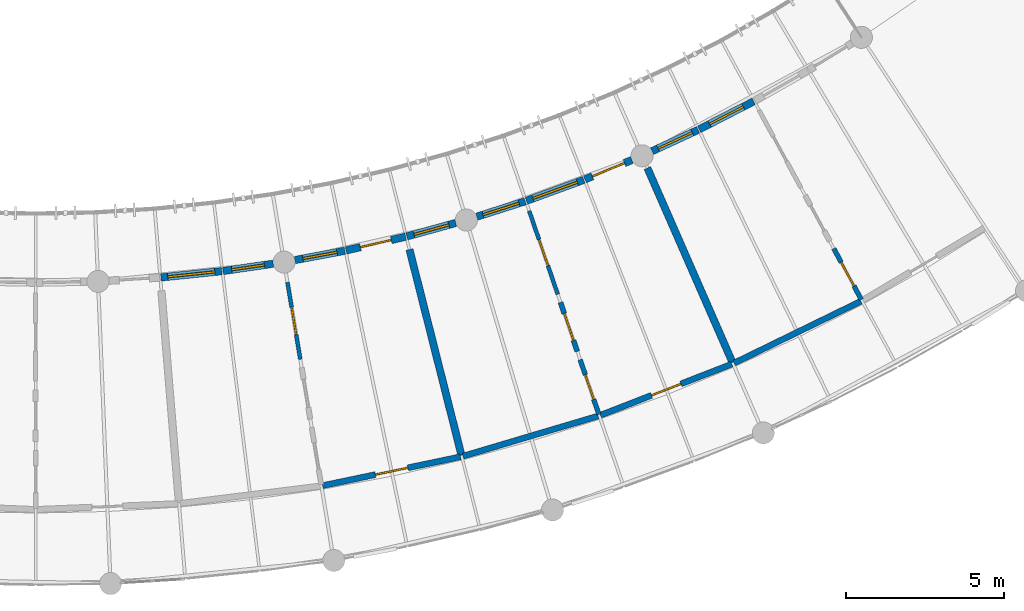
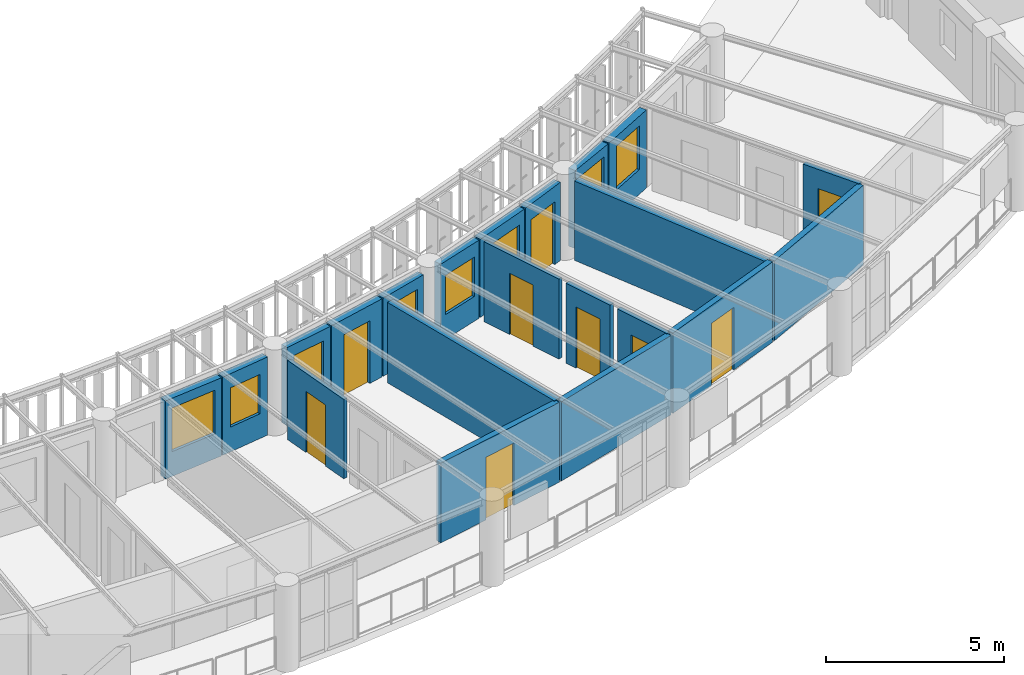
# One storey, part 94 of 137: 21 walls, 9 doors, 8 windows, 17 openings.
"""IFC4 building model written with IfcOpenShell, lengths in metres."""

from ifc_helpers import new_model, si_unit, direction, frame, frame_2d, origin, place, context, subcontext, project, spatial, rectangle, extrude, material, layer, layer_set, type_object, element, fill, save


model = new_model("IFC4")

# Units and contexts
model_context = context("Model", 3, precision=1e-05, world=origin(), true_north=direction((0.0, 1.0)))
body_context = subcontext(model_context, "Body", "Model", "MODEL_VIEW")
ifc_project = project(units=[si_unit("LENGTHUNIT", "METRE"), si_unit("AREAUNIT", "SQUARE_METRE"), si_unit("VOLUMEUNIT", "CUBIC_METRE"), si_unit("PLANEANGLEUNIT", "RADIAN"), si_unit("MASSUNIT", "GRAM", prefix="KILO"), si_unit("POWERUNIT", "WATT"), si_unit("THERMODYNAMICTEMPERATUREUNIT", "KELVIN")], contexts=[model_context])

# Site, building, storey
site_placement = place(None, origin())
site = spatial("IfcSite", under=ifc_project, at=site_placement, CompositionType="ELEMENT")
building_placement = place(site_placement, origin())
building = spatial("IfcBuilding", under=site, at=building_placement, Name="Ruvembo Vaulted Housing Court", CompositionType="ELEMENT")
storey_placement = place(building_placement, frame((0.0, 0.0, 4.5)))
storey = spatial("IfcBuildingStorey", under=building, at=storey_placement, Name="L01", CompositionType="ELEMENT", Elevation=4.5)

# Wall, opening, door
ifc_material_1 = material(Name="Concrete Blockwork 190", Category="masonry")
ifc_layer_1 = layer(ifc_material_1, 0.18994140625, Name="Concrete Blockwork 190")
ifc_layer_set_1 = layer_set([ifc_layer_1], Name="Concrete Blockwork 190")
wall_type_1 = type_object("IfcWallType", Name="WL-CORR-190", PredefinedType="SOLIDWALL", material=ifc_layer_set_1)
wall_1_placement = place(storey_placement, frame((78.106689453125, 7.55810546875, 0.0), z_axis=(0.0, 0.0, 1.0), x_axis=(0.978806148413, 0.204788973894, 0.0)))
wall_1 = element("IfcWall", 1, at=wall_1_placement, inside=storey, type_object=wall_type_1, Name="L01 Suite SC2-L01-U5 Entrance WL-INT-L01-00424", PredefinedType="SOLIDWALL", context=body_context, shape_type="SweptSolid", body=[
    extrude(rectangle(XDim=4.472900390625, YDim=0.18994140625, at=frame_2d((2.236328125, 0.0))), origin(), (0.0, 0.0, 1.0), 2.741943359375),
])
opening_1_placement = place(wall_1_placement, frame((1.71142578125, 0.0, 0.0)))
opening_1 = element("IfcOpeningElement", 2, at=opening_1_placement, cuts=wall_1, Name="Opening FD3", PredefinedType="OPENING", context=body_context, shape_type="SweptSolid", body=[
    extrude(rectangle(XDim=1.050048828125, YDim=2.14990234375, at=frame_2d((0.52490234375, 1.074951171875))), frame((0.0, 0.10498046875, 0.0), z_axis=(0.0, -1.0, 0.0), x_axis=(1.0, 0.0, 0.0)), (0.0, 0.0, 1.0), 0.2099609375),
])
ifc_material_2 = material(Name="FSC Hardwood and Engineered Timber", Category="wood")
door_type_1 = type_object("IfcDoorType", Name="DR-FLAT-1050x2150", OperationType="NOTDEFINED", PredefinedType="DOOR", material=ifc_material_2)
door_1_placement = place(opening_1_placement, origin())
door_1 = element("IfcDoor", 3, at=door_1_placement, inside=storey, type_object=door_type_1, Name="L01 Suite SC2-L01-U5 Entrance Door DR-INT-L01-00224", OperationType="SINGLE_SWING_RIGHT", OverallHeight=2.14990234375, OverallWidth=1.050048828125, PredefinedType="DOOR", context=body_context, shape_type="SweptSolid", body=[
    extrude(rectangle(XDim=1.050048828125, YDim=2.14990234375, at=frame_2d((0.52490234375, 1.074951171875))), frame((0.0, 0.02490234375, 0.0), z_axis=(0.0, -1.0, 0.0), x_axis=(1.0, 0.0, 0.0)), (0.0, 0.0, 1.0), 0.050048828125),
])
fill(opening_1, door_1)

# Wall
wall_2_placement = place(storey_placement, frame((82.562255859375, 8.493896484375, 0.0), z_axis=(0.0, 0.0, 1.0), x_axis=(0.958602413557, 0.28474798107, 0.0)))
element("IfcWall", 4, at=wall_2_placement, inside=storey, type_object=wall_type_1, Name="L01 Suite SC2-L01-U6 Gallery Wall WL-INT-L01-00429", PredefinedType="SOLIDWALL", context=body_context, shape_type="SweptSolid", body=[
    extrude(rectangle(XDim=4.472900390625, YDim=0.18994140625, at=frame_2d((2.236328125, 0.0))), origin(), (0.0, 0.0, 1.0), 2.721923828125),
])

# Wall, opening, door
wall_3_placement = place(storey_placement, frame((86.92578125, 9.79345703125, 0.0), z_axis=(0.0, 0.0, 1.0), x_axis=(0.931847867525, 0.362849213571, 0.0)))
wall_3 = element("IfcWall", 5, at=wall_3_placement, inside=storey, type_object=wall_type_1, Name="L01 Suite SC2-L01-U6 Entrance WL-INT-L01-00430", PredefinedType="SOLIDWALL", context=body_context, shape_type="SweptSolid", body=[
    extrude(rectangle(XDim=4.47314453125, YDim=0.18994140625, at=frame_2d((2.236572265625, 0.0))), origin(), (0.0, 0.0, 1.0), 2.761962890625),
])
opening_2_placement = place(wall_3_placement, frame((1.736572265625, 0.0, 0.0)))
opening_2 = element("IfcOpeningElement", 6, at=opening_2_placement, cuts=wall_3, Name="Opening FD1", PredefinedType="OPENING", context=body_context, shape_type="SweptSolid", body=[
    extrude(rectangle(XDim=1.0, YDim=2.14990234375, at=frame_2d((0.5, 1.074951171875))), frame((0.0, 0.10498046875, 0.0), z_axis=(0.0, -1.0, 0.0), x_axis=(1.0, 0.0, 0.0)), (0.0, 0.0, 1.0), 0.2099609375),
])
door_type_2 = type_object("IfcDoorType", Name="DR-FLAT-1000x2150", OperationType="NOTDEFINED", PredefinedType="DOOR", material=ifc_material_2)
door_2_placement = place(opening_2_placement, origin())
door_2 = element("IfcDoor", 7, at=door_2_placement, inside=storey, type_object=door_type_2, Name="L01 Suite SC2-L01-U6 Entrance Door DR-INT-L01-00228", OperationType="SINGLE_SWING_RIGHT", OverallHeight=2.14990234375, OverallWidth=1.0, PredefinedType="DOOR", context=body_context, shape_type="SweptSolid", body=[
    extrude(rectangle(XDim=1.0, YDim=2.14990234375, at=frame_2d((0.5, 1.074951171875))), frame((0.0, 0.02490234375, 0.0), z_axis=(0.0, -1.0, 0.0), x_axis=(1.0, 0.0, 0.0)), (0.0, 0.0, 1.0), 0.050048828125),
])
fill(opening_2, door_2)

# Walls
wall_4_placement = place(storey_placement, frame((91.16748046875, 11.448486328125, 0.0), z_axis=(0.0, 0.0, 1.0), x_axis=(0.898794149603, 0.438370934985, 0.0)))
element("IfcWall", 8, at=wall_4_placement, inside=storey, type_object=wall_type_1, Name="L01 Suite SC2-L01-U7 Gallery Wall WL-INT-L01-00435", PredefinedType="SOLIDWALL", context=body_context, shape_type="SweptSolid", body=[
    extrude(rectangle(XDim=4.47265625, YDim=0.18994140625, at=frame_2d((2.236328125, 0.0))), origin(), (0.0, 0.0, 1.0), 2.741943359375),
])
ifc_material_3 = material(Name="Acoustic Masonry Demising 230", Category="masonry")
ifc_layer_2 = layer(ifc_material_3, 0.22998046875, Name="Acoustic Masonry Demising 230")
ifc_layer_set_2 = layer_set([ifc_layer_2], Name="Acoustic Masonry Demising 230")
wall_type_2 = type_object("IfcWallType", Name="WL-DEM-230", PredefinedType="SOLIDWALL", material=ifc_layer_set_2)
wall_5_placement = place(storey_placement, frame((80.864013671875, 15.0517578125, 0.0), z_axis=(0.0, 0.0, 1.0), x_axis=(0.244982481903, -0.969527505314, 0.0)))
element("IfcWall", 9, at=wall_5_placement, inside=storey, type_object=wall_type_2, Name="L01 Suite SC2-L01-U5 Demising WL-INT-L01-00428", PredefinedType="SOLIDWALL", context=body_context, shape_type="SweptSolid", body=[
    extrude(rectangle(XDim=6.73583984375, YDim=0.22998046875, at=frame_2d((3.367919921875, 0.0))), origin(), (0.0, 0.0, 1.0), 2.761962890625),
])
wall_6_placement = place(storey_placement, frame((88.414794921875, 17.638427734375, 0.0), z_axis=(0.0, 0.0, 1.0), x_axis=(0.400932910895, -0.916107417807, 0.0)))
element("IfcWall", 10, at=wall_6_placement, inside=storey, type_object=wall_type_2, Name="L01 Suite SC2-L01-U6 Demising WL-INT-L01-00434", PredefinedType="SOLIDWALL", context=body_context, shape_type="SweptSolid", body=[
    extrude(rectangle(XDim=6.736083984375, YDim=0.22998046875, at=frame_2d((3.3681640625, 0.0))), origin(), (0.0, 0.0, 1.0), 2.721923828125),
])

# Wall, opening, window
ifc_material_4 = material(Name="Rendered Masonry 235", Category="masonry")
ifc_layer_3 = layer(ifc_material_4, 0.235107421875, Name="Rendered Masonry 235")
ifc_layer_set_3 = layer_set([ifc_layer_3], Name="Rendered Masonry 235")
wall_type_3 = type_object("IfcWallType", Name="WL-EXT-235", PredefinedType="STANDARD", material=ifc_layer_set_3)
wall_7_placement = place(storey_placement, frame((72.9755859375, 14.165283203125, 0.0), z_axis=(0.0, 0.0, 1.0), x_axis=(0.994688684624, 0.10292920228, 0.0)))
wall_7 = element("IfcWall", 11, at=wall_7_placement, inside=storey, type_object=wall_type_3, Name="Scoop SC2 L01 Concave Balcony Wall 16", PredefinedType="STANDARD", context=body_context, shape_type="SweptSolid", body=[
    extrude(rectangle(XDim=1.940185546875, YDim=0.235107421875, at=frame_2d((0.97021484375, 0.0))), origin(), (0.0, 0.0, 1.0), 2.68408203125),
])
opening_3_placement = place(wall_7_placement, frame((0.219970703125, 0.0, 0.85009765625)))
opening_3 = element("IfcOpeningElement", 12, at=opening_3_placement, cuts=wall_7, Name="Opening W19", PredefinedType="OPENING", context=body_context, shape_type="SweptSolid", body=[
    extrude(rectangle(XDim=1.5, YDim=1.5, at=frame_2d((0.75, 0.75))), frame((0.0, 0.12744140625, 0.0), z_axis=(0.0, -1.0, 0.0), x_axis=(1.0, 0.0, 0.0)), (0.0, 0.0, 1.0), 0.255126953125),
])
ifc_material_5 = material(Name="Double Solar-Control Glazing in Aluminium Frame", Category="aluminium")
window_type_1 = type_object("IfcWindowType", Name="WIN-1500x1500", PartitioningType="SINGLE_PANEL", PredefinedType="WINDOW", material=ifc_material_5)
window_1_placement = place(opening_3_placement, origin())
window_1 = element("IfcWindow", 13, at=window_1_placement, inside=storey, type_object=window_type_1, Name="Scoop SC2 L01 Concave Window 16", OverallHeight=1.5, OverallWidth=1.5, PartitioningType="SINGLE_PANEL", PredefinedType="WINDOW", context=body_context, shape_type="SweptSolid", body=[
    extrude(rectangle(XDim=1.5, YDim=1.5, at=frame_2d((0.75, 0.75))), frame((0.0, 0.030029296875, 0.0), z_axis=(0.0, -1.0, 0.0), x_axis=(1.0, 0.0, 0.0)), (0.0, 0.0, 1.0), 0.06005859375),
])
fill(opening_3, window_1)

wall_8_placement = place(storey_placement, frame((74.945068359375, 14.3701171875, 0.0), z_axis=(0.0, 0.0, 1.0), x_axis=(0.98961312767, 0.143756243492, 0.0)))
wall_8 = element("IfcWall", 14, at=wall_8_placement, inside=storey, type_object=wall_type_3, Name="Scoop SC2 L01 Concave Balcony Wall 17", PredefinedType="STANDARD", context=body_context, shape_type="SweptSolid", body=[
    extrude(rectangle(XDim=1.60986328125, YDim=0.235107421875, at=frame_2d((0.804931640625, 0.0))), origin(), (0.0, 0.0, 1.0), 2.68408203125),
])
opening_4_placement = place(wall_8_placement, frame((0.280029296875, 0.0, 0.85009765625)))
opening_4 = element("IfcOpeningElement", 15, at=opening_4_placement, cuts=wall_8, Name="Opening W09", PredefinedType="OPENING", context=body_context, shape_type="SweptSolid", body=[
    extrude(rectangle(XDim=1.050048828125, YDim=1.35009765625, at=frame_2d((0.52490234375, 0.675048828125))), frame((0.0, 0.12744140625, 0.0), z_axis=(0.0, -1.0, 0.0), x_axis=(1.0, 0.0, 0.0)), (0.0, 0.0, 1.0), 0.255126953125),
])
window_type_2 = type_object("IfcWindowType", Name="WIN-1050x1350", PartitioningType="SINGLE_PANEL", PredefinedType="WINDOW", material=ifc_material_5)
window_2_placement = place(opening_4_placement, origin())
window_2 = element("IfcWindow", 16, at=window_2_placement, inside=storey, type_object=window_type_2, Name="Scoop SC2 L01 Concave Window 17", OverallHeight=1.35009765625, OverallWidth=1.050048828125, PartitioningType="SINGLE_PANEL", PredefinedType="WINDOW", context=body_context, shape_type="SweptSolid", body=[
    extrude(rectangle(XDim=1.050048828125, YDim=1.35009765625, at=frame_2d((0.52490234375, 0.675048828125))), frame((0.0, 0.030029296875, 0.0), z_axis=(0.0, -1.0, 0.0), x_axis=(1.0, 0.0, 0.0)), (0.0, 0.0, 1.0), 0.06005859375),
])
fill(opening_4, window_2)

wall_9_placement = place(storey_placement, frame((77.228759765625, 14.716552734375, 0.0), z_axis=(0.0, 0.0, 1.0), x_axis=(0.982794848755, 0.184700528589, 0.0)))
wall_9 = element("IfcWall", 17, at=wall_9_placement, inside=storey, type_object=wall_type_3, Name="Scoop SC2 L01 Concave Balcony Wall 18", PredefinedType="STANDARD", context=body_context, shape_type="SweptSolid", body=[
    extrude(rectangle(XDim=1.60986328125, YDim=0.235107421875, at=frame_2d((0.804931640625, 0.0))), origin(), (0.0, 0.0, 1.0), 2.68408203125),
])
opening_5_placement = place(wall_9_placement, frame((0.2548828125, 0.0, 0.85009765625)))
opening_5 = element("IfcOpeningElement", 18, at=opening_5_placement, cuts=wall_9, Name="Opening W10", PredefinedType="OPENING", context=body_context, shape_type="SweptSolid", body=[
    extrude(rectangle(XDim=1.10009765625, YDim=1.449951171875, at=frame_2d((0.550048828125, 0.72509765625))), frame((0.0, 0.12744140625, 0.0), z_axis=(0.0, -1.0, 0.0), x_axis=(1.0, 0.0, 0.0)), (0.0, 0.0, 1.0), 0.255126953125),
])
window_type_3 = type_object("IfcWindowType", Name="WIN-1100x1450", PartitioningType="SINGLE_PANEL", PredefinedType="WINDOW", material=ifc_material_5)
window_3_placement = place(opening_5_placement, origin())
window_3 = element("IfcWindow", 19, at=window_3_placement, inside=storey, type_object=window_type_3, Name="Scoop SC2 L01 Concave Window 18", OverallHeight=1.449951171875, OverallWidth=1.10009765625, PartitioningType="SINGLE_PANEL", PredefinedType="WINDOW", context=body_context, shape_type="SweptSolid", body=[
    extrude(rectangle(XDim=1.10009765625, YDim=1.449951171875, at=frame_2d((0.550048828125, 0.72509765625))), frame((0.0, 0.030029296875, 0.0), z_axis=(0.0, -1.0, 0.0), x_axis=(1.0, 0.0, 0.0)), (0.0, 0.0, 1.0), 0.06005859375),
])
fill(opening_5, window_3)

# Wall, opening, door
wall_10_placement = place(storey_placement, frame((78.85009765625, 15.02197265625, 0.0), z_axis=(0.0, 0.0, 1.0), x_axis=(0.974359373104, 0.224997360081, 0.0)))
wall_10 = element("IfcWall", 20, at=wall_10_placement, inside=storey, type_object=wall_type_3, Name="Scoop SC2 L01 Concave Balcony Wall 19", PredefinedType="STANDARD", context=body_context, shape_type="SweptSolid", body=[
    extrude(rectangle(XDim=1.940185546875, YDim=0.235107421875, at=frame_2d((0.97021484375, 0.0))), origin(), (0.0, 0.0, 1.0), 2.68408203125),
])
opening_6_placement = place(wall_10_placement, frame((0.469970703125, 0.0, 0.0)))
opening_6 = element("IfcOpeningElement", 21, at=opening_6_placement, cuts=wall_10, Name="Opening BD1", PredefinedType="OPENING", context=body_context, shape_type="SweptSolid", body=[
    extrude(rectangle(XDim=1.0, YDim=2.14990234375, at=frame_2d((0.5, 1.074951171875))), frame((0.0, 0.12744140625, 0.0), z_axis=(0.0, -1.0, 0.0), x_axis=(1.0, 0.0, 0.0)), (0.0, 0.0, 1.0), 0.255126953125),
])
ifc_material_6 = material(Name="Thermally Broken Glazed Aluminium", Category="aluminium")
door_type_3 = type_object("IfcDoorType", Name="DR-BAL-1000x2150", OperationType="NOTDEFINED", PredefinedType="DOOR", material=ifc_material_6)
door_3_placement = place(opening_6_placement, origin())
door_3 = element("IfcDoor", 22, at=door_3_placement, inside=storey, type_object=door_type_3, Name="Scoop SC2 L01 Balcony Door 19", OperationType="SINGLE_SWING_RIGHT", OverallHeight=2.14990234375, OverallWidth=1.0, PredefinedType="DOOR", context=body_context, shape_type="SweptSolid", body=[
    extrude(rectangle(XDim=1.0, YDim=2.14990234375, at=frame_2d((0.5, 1.074951171875))), frame((0.0, 0.02490234375, 0.0), z_axis=(0.0, -1.0, 0.0), x_axis=(1.0, 0.0, 0.0)), (0.0, 0.0, 1.0), 0.050048828125),
])
fill(opening_6, door_3)

# Wall, opening, window
wall_11_placement = place(storey_placement, frame((80.779296875, 15.46826171875, 0.0), z_axis=(0.0, 0.0, 1.0), x_axis=(0.96427223836, 0.264913288318, 0.0)))
wall_11 = element("IfcWall", 23, at=wall_11_placement, inside=storey, type_object=wall_type_3, Name="Scoop SC2 L01 Concave Balcony Wall 20", PredefinedType="STANDARD", context=body_context, shape_type="SweptSolid", body=[
    extrude(rectangle(XDim=1.610107421875, YDim=0.235107421875, at=frame_2d((0.80517578125, 0.0))), origin(), (0.0, 0.0, 1.0), 2.68408203125),
])
opening_7_placement = place(wall_11_placement, frame((0.22998046875, 0.0, 0.85009765625)))
opening_7 = element("IfcOpeningElement", 24, at=opening_7_placement, cuts=wall_11, Name="Opening W11", PredefinedType="OPENING", context=body_context, shape_type="SweptSolid", body=[
    extrude(rectangle(XDim=1.14990234375, YDim=1.449951171875, at=frame_2d((0.574951171875, 0.72509765625))), frame((0.0, 0.12744140625, 0.0), z_axis=(0.0, -1.0, 0.0), x_axis=(1.0, 0.0, 0.0)), (0.0, 0.0, 1.0), 0.255126953125),
])
window_type_4 = type_object("IfcWindowType", Name="WIN-1150x1450", PartitioningType="SINGLE_PANEL", PredefinedType="WINDOW", material=ifc_material_5)
window_4_placement = place(opening_7_placement, origin())
window_4 = element("IfcWindow", 25, at=window_4_placement, inside=storey, type_object=window_type_4, Name="Scoop SC2 L01 Concave Window 20", OverallHeight=1.449951171875, OverallWidth=1.14990234375, PartitioningType="SINGLE_PANEL", PredefinedType="WINDOW", context=body_context, shape_type="SweptSolid", body=[
    extrude(rectangle(XDim=1.14990234375, YDim=1.449951171875, at=frame_2d((0.574951171875, 0.72509765625))), frame((0.0, 0.030029296875, 0.0), z_axis=(0.0, -1.0, 0.0), x_axis=(1.0, 0.0, 0.0)), (0.0, 0.0, 1.0), 0.06005859375),
])
fill(opening_7, window_4)

wall_12_placement = place(storey_placement, frame((83.002685546875, 16.093994140625, 0.0), z_axis=(0.0, 0.0, 1.0), x_axis=(0.952508629145, 0.304511594861, 0.0)))
wall_12 = element("IfcWall", 26, at=wall_12_placement, inside=storey, type_object=wall_type_3, Name="Scoop SC2 L01 Concave Balcony Wall 21", PredefinedType="STANDARD", context=body_context, shape_type="SweptSolid", body=[
    extrude(rectangle(XDim=1.60986328125, YDim=0.235107421875, at=frame_2d((0.804931640625, 0.0))), origin(), (0.0, 0.0, 1.0), 2.68408203125),
])
opening_8_placement = place(wall_12_placement, frame((0.205078125, 0.0, 0.85009765625)))
opening_8 = element("IfcOpeningElement", 27, at=opening_8_placement, cuts=wall_12, Name="Opening W12", PredefinedType="OPENING", context=body_context, shape_type="SweptSolid", body=[
    extrude(rectangle(XDim=1.199951171875, YDim=1.35009765625, at=frame_2d((0.60009765625, 0.675048828125))), frame((0.0, 0.12744140625, 0.0), z_axis=(0.0, -1.0, 0.0), x_axis=(1.0, 0.0, 0.0)), (0.0, 0.0, 1.0), 0.255126953125),
])
window_type_5 = type_object("IfcWindowType", Name="WIN-1200x1350", PartitioningType="SINGLE_PANEL", PredefinedType="WINDOW", material=ifc_material_5)
window_5_placement = place(opening_8_placement, origin())
window_5 = element("IfcWindow", 28, at=window_5_placement, inside=storey, type_object=window_type_5, Name="Scoop SC2 L01 Concave Window 21", OverallHeight=1.35009765625, OverallWidth=1.199951171875, PartitioningType="SINGLE_PANEL", PredefinedType="WINDOW", context=body_context, shape_type="SweptSolid", body=[
    extrude(rectangle(XDim=1.199951171875, YDim=1.35009765625, at=frame_2d((0.60009765625, 0.675048828125))), frame((0.0, 0.030029296875, 0.0), z_axis=(0.0, -1.0, 0.0), x_axis=(1.0, 0.0, 0.0)), (0.0, 0.0, 1.0), 0.06005859375),
])
fill(opening_8, window_5)

wall_13_placement = place(storey_placement, frame((84.573974609375, 16.597412109375, 0.0), z_axis=(0.0, 0.0, 1.0), x_axis=(0.939178301307, 0.343429932235, 0.0)))
wall_13 = element("IfcWall", 29, at=wall_13_placement, inside=storey, type_object=wall_type_3, Name="Scoop SC2 L01 Concave Balcony Wall 22", PredefinedType="STANDARD", context=body_context, shape_type="SweptSolid", body=[
    extrude(rectangle(XDim=1.93994140625, YDim=0.235107421875, at=frame_2d((0.969970703125, 0.0))), origin(), (0.0, 0.0, 1.0), 2.68408203125),
])
opening_9_placement = place(wall_13_placement, frame((0.219970703125, 0.0, 0.85009765625)))
opening_9 = element("IfcOpeningElement", 30, at=opening_9_placement, cuts=wall_13, Name="Opening W18", PredefinedType="OPENING", context=body_context, shape_type="SweptSolid", body=[
    extrude(rectangle(XDim=1.5, YDim=1.39990234375, at=frame_2d((0.75, 0.699951171875))), frame((0.0, 0.12744140625, 0.0), z_axis=(0.0, -1.0, 0.0), x_axis=(1.0, 0.0, 0.0)), (0.0, 0.0, 1.0), 0.255126953125),
])
window_type_6 = type_object("IfcWindowType", Name="WIN-1500x1400", PartitioningType="SINGLE_PANEL", PredefinedType="WINDOW", material=ifc_material_5)
window_6_placement = place(opening_9_placement, origin())
window_6 = element("IfcWindow", 31, at=window_6_placement, inside=storey, type_object=window_type_6, Name="Scoop SC2 L01 Concave Window 22", OverallHeight=1.39990234375, OverallWidth=1.5, PartitioningType="SINGLE_PANEL", PredefinedType="WINDOW", context=body_context, shape_type="SweptSolid", body=[
    extrude(rectangle(XDim=1.5, YDim=1.39990234375, at=frame_2d((0.75, 0.699951171875))), frame((0.0, 0.030029296875, 0.0), z_axis=(0.0, -1.0, 0.0), x_axis=(1.0, 0.0, 0.0)), (0.0, 0.0, 1.0), 0.06005859375),
])
fill(opening_9, window_6)

# Wall, opening, door
wall_14_placement = place(storey_placement, frame((86.433349609375, 17.278076171875, 0.0), z_axis=(0.0, 0.0, 1.0), x_axis=(0.924159027547, 0.382007973481, 0.0)))
wall_14 = element("IfcWall", 32, at=wall_14_placement, inside=storey, type_object=wall_type_3, Name="Scoop SC2 L01 Concave Balcony Wall 23", PredefinedType="STANDARD", context=body_context, shape_type="SweptSolid", body=[
    extrude(rectangle(XDim=1.60986328125, YDim=0.235107421875, at=frame_2d((0.804931640625, 0.0))), origin(), (0.0, 0.0, 1.0), 2.68408203125),
])
opening_10_placement = place(wall_14_placement, frame((0.2548828125, 0.0, 0.0)))
opening_10 = element("IfcOpeningElement", 33, at=opening_10_placement, cuts=wall_14, Name="Opening BD3", PredefinedType="OPENING", context=body_context, shape_type="SweptSolid", body=[
    extrude(rectangle(XDim=1.10009765625, YDim=2.14990234375, at=frame_2d((0.550048828125, 1.074951171875))), frame((0.0, 0.12744140625, 0.0), z_axis=(0.0, -1.0, 0.0), x_axis=(1.0, 0.0, 0.0)), (0.0, 0.0, 1.0), 0.255126953125),
])
door_type_4 = type_object("IfcDoorType", Name="DR-BAL-1100x2150", OperationType="NOTDEFINED", PredefinedType="DOOR", material=ifc_material_6)
door_4_placement = place(opening_10_placement, origin())
door_4 = element("IfcDoor", 34, at=door_4_placement, inside=storey, type_object=door_type_4, Name="Scoop SC2 L01 Balcony Door 23", OperationType="SINGLE_SWING_LEFT", OverallHeight=2.14990234375, OverallWidth=1.10009765625, PredefinedType="DOOR", context=body_context, shape_type="SweptSolid", body=[
    extrude(rectangle(XDim=1.10009765625, YDim=2.14990234375, at=frame_2d((0.550048828125, 1.074951171875))), frame((0.0, 0.02490234375, 0.0), z_axis=(0.0, -1.0, 0.0), x_axis=(1.0, 0.0, 0.0)), (0.0, 0.0, 1.0), 0.050048828125),
])
fill(opening_10, door_4)

# Wall, opening, window
wall_15_placement = place(storey_placement, frame((88.5625, 18.173583984375, 0.0), z_axis=(0.0, 0.0, 1.0), x_axis=(0.907572868664, 0.419894615427, 0.0)))
wall_15 = element("IfcWall", 35, at=wall_15_placement, inside=storey, type_object=wall_type_3, Name="Scoop SC2 L01 Concave Balcony Wall 24", PredefinedType="STANDARD", context=body_context, shape_type="SweptSolid", body=[
    extrude(rectangle(XDim=1.610107421875, YDim=0.235107421875, at=frame_2d((0.80517578125, 0.0))), origin(), (0.0, 0.0, 1.0), 2.68408203125),
])
opening_11_placement = place(wall_15_placement, frame((0.205078125, 0.0, 0.85009765625)))
opening_11 = element("IfcOpeningElement", 36, at=opening_11_placement, cuts=wall_15, Name="Opening W14", PredefinedType="OPENING", context=body_context, shape_type="SweptSolid", body=[
    extrude(rectangle(XDim=1.199951171875, YDim=1.5, at=frame_2d((0.60009765625, 0.75))), frame((0.0, 0.12744140625, 0.0), z_axis=(0.0, -1.0, 0.0), x_axis=(1.0, 0.0, 0.0)), (0.0, 0.0, 1.0), 0.255126953125),
])
window_type_7 = type_object("IfcWindowType", Name="WIN-1200x1500", PartitioningType="SINGLE_PANEL", PredefinedType="WINDOW", material=ifc_material_5)
window_7_placement = place(opening_11_placement, origin())
window_7 = element("IfcWindow", 37, at=window_7_placement, inside=storey, type_object=window_type_7, Name="Scoop SC2 L01 Concave Window 24", OverallHeight=1.5, OverallWidth=1.199951171875, PartitioningType="SINGLE_PANEL", PredefinedType="WINDOW", context=body_context, shape_type="SweptSolid", body=[
    extrude(rectangle(XDim=1.199951171875, YDim=1.5, at=frame_2d((0.60009765625, 0.75))), frame((0.0, 0.030029296875, 0.0), z_axis=(0.0, -1.0, 0.0), x_axis=(1.0, 0.0, 0.0)), (0.0, 0.0, 1.0), 0.06005859375),
])
fill(opening_11, window_7)

wall_16_placement = place(storey_placement, frame((90.0595703125, 18.866943359375, 0.0), z_axis=(0.0, 0.0, 1.0), x_axis=(0.889517261343, 0.456901566832, 0.0)))
wall_16 = element("IfcWall", 38, at=wall_16_placement, inside=storey, type_object=wall_type_3, Name="Scoop SC2 L01 Concave Balcony Wall 25", PredefinedType="STANDARD", context=body_context, shape_type="SweptSolid", body=[
    extrude(rectangle(XDim=1.940185546875, YDim=0.235107421875, at=frame_2d((0.97021484375, 0.0))), origin(), (0.0, 0.0, 1.0), 2.68408203125),
])
opening_12_placement = place(wall_16_placement, frame((0.3701171875, 0.0, 0.85009765625)))
opening_12 = element("IfcOpeningElement", 39, at=opening_12_placement, cuts=wall_16, Name="Opening W14", PredefinedType="OPENING", context=body_context, shape_type="SweptSolid", body=[
    extrude(rectangle(XDim=1.199951171875, YDim=1.5, at=frame_2d((0.60009765625, 0.75))), frame((0.0, 0.12744140625, 0.0), z_axis=(0.0, -1.0, 0.0), x_axis=(1.0, 0.0, 0.0)), (0.0, 0.0, 1.0), 0.255126953125),
])
window_8_placement = place(opening_12_placement, origin())
window_8 = element("IfcWindow", 40, at=window_8_placement, inside=storey, type_object=window_type_7, Name="Scoop SC2 L01 Concave Window 25", OverallHeight=1.5, OverallWidth=1.199951171875, PartitioningType="SINGLE_PANEL", PredefinedType="WINDOW", context=body_context, shape_type="SweptSolid", body=[
    extrude(rectangle(XDim=1.199951171875, YDim=1.5, at=frame_2d((0.60009765625, 0.75))), frame((0.0, 0.030029296875, 0.0), z_axis=(0.0, -1.0, 0.0), x_axis=(1.0, 0.0, 0.0)), (0.0, 0.0, 1.0), 0.06005859375),
])
fill(opening_12, window_8)

# Wall, opening, door
ifc_material_7 = material(Name="Plasterboard Stud Partition 125", Category="gypsum")
ifc_layer_4 = layer(ifc_material_7, 0.125, Name="Plasterboard Stud Partition 125")
ifc_layer_set_4 = layer_set([ifc_layer_4], Name="Plasterboard Stud Partition 125")
wall_type_4 = type_object("IfcWallType", Name="WL-PART-125", PredefinedType="PARTITIONING", material=ifc_layer_set_4)
wall_17_placement = place(storey_placement, frame((76.9912109375, 14.0126953125, 0.0), z_axis=(0.0, 0.0, 1.0), x_axis=(0.16420741421, -0.986425833562, 0.0)))
wall_17 = element("IfcWall", 41, at=wall_17_placement, inside=storey, type_object=wall_type_4, Name="L01 Suite SC2-L01-U5 Bedroom WL-INT-L01-00425", PredefinedType="PARTITIONING", context=body_context, shape_type="SweptSolid", body=[
    extrude(rectangle(XDim=2.47998046875, YDim=0.125, at=frame_2d((1.239990234375, 0.0))), origin(), (0.0, 0.0, 1.0), 2.721923828125),
])
opening_13_placement = place(wall_17_placement, frame((0.800048828125, 0.0, 0.0)))
opening_13 = element("IfcOpeningElement", 42, at=opening_13_placement, cuts=wall_17, Name="Opening ID3", PredefinedType="OPENING", context=body_context, shape_type="SweptSolid", body=[
    extrude(rectangle(XDim=0.8798828125, YDim=2.10009765625, at=frame_2d((0.43994140625, 1.050048828125))), frame((0.0, 0.072509765625, 0.0), z_axis=(0.0, -1.0, 0.0), x_axis=(1.0, 0.0, 0.0)), (0.0, 0.0, 1.0), 0.14501953125),
])
door_type_5 = type_object("IfcDoorType", Name="DR-ROOM-0880x2100", OperationType="NOTDEFINED", PredefinedType="DOOR", material=ifc_material_2)
door_5_placement = place(opening_13_placement, origin())
door_5 = element("IfcDoor", 43, at=door_5_placement, inside=storey, type_object=door_type_5, Name="L01 Suite SC2-L01-U5 Bedroom Door DR-INT-L01-00225", OperationType="SINGLE_SWING_LEFT", OverallHeight=2.10009765625, OverallWidth=0.8798828125, PredefinedType="DOOR", context=body_context, shape_type="SweptSolid", body=[
    extrude(rectangle(XDim=0.8798828125, YDim=2.10009765625, at=frame_2d((0.43994140625, 1.050048828125))), frame((0.0, 0.02490234375, 0.0), z_axis=(0.0, -1.0, 0.0), x_axis=(1.0, 0.0, 0.0)), (0.0, 0.0, 1.0), 0.050048828125),
])
fill(opening_13, door_5)

wall_18_placement = place(storey_placement, frame((84.66162109375, 16.280029296875, 0.0), z_axis=(0.0, 0.0, 1.0), x_axis=(0.32401221778, -0.94605289637, 0.0)))
wall_18 = element("IfcWall", 44, at=wall_18_placement, inside=storey, type_object=wall_type_4, Name="L01 Suite SC2-L01-U6 Bedroom WL-INT-L01-00431", PredefinedType="PARTITIONING", context=body_context, shape_type="SweptSolid", body=[
    extrude(rectangle(XDim=2.800048828125, YDim=0.125, at=frame_2d((1.39990234375, 0.0))), origin(), (0.0, 0.0, 1.0), 2.741943359375),
])
opening_14_placement = place(wall_18_placement, frame((0.960205078125, 0.0, 0.0)))
opening_14 = element("IfcOpeningElement", 45, at=opening_14_placement, cuts=wall_18, Name="Opening ID3", PredefinedType="OPENING", context=body_context, shape_type="SweptSolid", body=[
    extrude(rectangle(XDim=0.8798828125, YDim=2.10009765625, at=frame_2d((0.43994140625, 1.050048828125))), frame((0.0, 0.072509765625, 0.0), z_axis=(0.0, -1.0, 0.0), x_axis=(1.0, 0.0, 0.0)), (0.0, 0.0, 1.0), 0.14501953125),
])
door_6_placement = place(opening_14_placement, origin())
door_6 = element("IfcDoor", 46, at=door_6_placement, inside=storey, type_object=door_type_5, Name="L01 Suite SC2-L01-U6 Bedroom Door DR-INT-L01-00229", OperationType="SINGLE_SWING_LEFT", OverallHeight=2.10009765625, OverallWidth=0.8798828125, PredefinedType="DOOR", context=body_context, shape_type="SweptSolid", body=[
    extrude(rectangle(XDim=0.8798828125, YDim=2.10009765625, at=frame_2d((0.43994140625, 1.050048828125))), frame((0.0, 0.02490234375, 0.0), z_axis=(0.0, -1.0, 0.0), x_axis=(1.0, 0.0, 0.0)), (0.0, 0.0, 1.0), 0.050048828125),
])
fill(opening_14, door_6)

ifc_material_8 = material(Name="Moisture-Resistant Wet Partition 150", Category="gypsum")
ifc_layer_5 = layer(ifc_material_8, 0.14990234375, Name="Moisture-Resistant Wet Partition 150")
ifc_layer_set_5 = layer_set([ifc_layer_5], Name="Moisture-Resistant Wet Partition 150")
wall_type_5 = type_object("IfcWallType", Name="WL-PART-150", PredefinedType="PARTITIONING", material=ifc_layer_set_5)
wall_19_placement = place(storey_placement, frame((86.279296875, 11.5576171875, 0.0), z_axis=(0.0, 0.0, 1.0), x_axis=(0.323978335312, -0.946064500046, 0.0)))
wall_19 = element("IfcWall", 47, at=wall_19_placement, inside=storey, type_object=wall_type_5, Name="L01 Suite SC2-L01-U6 Bathroom WL-INT-L01-00433", PredefinedType="PARTITIONING", context=body_context, shape_type="SweptSolid", body=[
    extrude(rectangle(XDim=1.84033203125, YDim=0.14990234375, at=frame_2d((0.920166015625, 0.0))), origin(), (0.0, 0.0, 1.0), 2.741943359375),
])
opening_15_placement = place(wall_19_placement, frame((0.510009765625, 0.0, 0.0)))
opening_15 = element("IfcOpeningElement", 48, at=opening_15_placement, cuts=wall_19, Name="Opening ID4", PredefinedType="OPENING", context=body_context, shape_type="SweptSolid", body=[
    extrude(rectangle(XDim=0.820068359375, YDim=2.080078125, at=frame_2d((0.41015625, 1.0400390625))), frame((0.0, 0.0849609375, 0.0), z_axis=(0.0, -1.0, 0.0), x_axis=(1.0, 0.0, 0.0)), (0.0, 0.0, 1.0), 0.169921875),
])
door_type_6 = type_object("IfcDoorType", Name="DR-WET-0820x2080", OperationType="NOTDEFINED", PredefinedType="DOOR", material=ifc_material_2)
door_7_placement = place(opening_15_placement, origin())
door_7 = element("IfcDoor", 49, at=door_7_placement, inside=storey, type_object=door_type_6, Name="L01 Suite SC2-L01-U6 Bathroom Door DR-INT-L01-00231", OperationType="SINGLE_SWING_LEFT", OverallHeight=2.080078125, OverallWidth=0.820068359375, PredefinedType="DOOR", context=body_context, shape_type="SweptSolid", body=[
    extrude(rectangle(XDim=0.820068359375, YDim=2.080078125, at=frame_2d((0.41015625, 1.0400390625))), frame((0.0, 0.02490234375, 0.0), z_axis=(0.0, -1.0, 0.0), x_axis=(1.0, 0.0, 0.0)), (0.0, 0.0, 1.0), 0.050048828125),
])
fill(opening_15, door_7)

wall_20_placement = place(storey_placement, frame((94.33056640625, 15.0810546875, 0.0), z_axis=(0.0, 0.0, 1.0), x_axis=(0.475017414672, -0.879976395001, 0.0)))
wall_20 = element("IfcWall", 50, at=wall_20_placement, inside=storey, type_object=wall_type_5, Name="L01 Suite SC2-L01-U7 Bathroom WL-INT-L01-00439", PredefinedType="PARTITIONING", context=body_context, shape_type="SweptSolid", body=[
    extrude(rectangle(XDim=1.840087890625, YDim=0.14990234375, at=frame_2d((0.919921875, 0.0))), origin(), (0.0, 0.0, 1.0), 2.761962890625),
])
opening_16_placement = place(wall_20_placement, frame((0.4951171875, 0.0, 0.0)))
opening_16 = element("IfcOpeningElement", 51, at=opening_16_placement, cuts=wall_20, Name="Opening ID2", PredefinedType="OPENING", context=body_context, shape_type="SweptSolid", body=[
    extrude(rectangle(XDim=0.85009765625, YDim=2.10009765625, at=frame_2d((0.425048828125, 1.050048828125))), frame((0.0, 0.0849609375, 0.0), z_axis=(0.0, -1.0, 0.0), x_axis=(1.0, 0.0, 0.0)), (0.0, 0.0, 1.0), 0.169921875),
])
door_type_7 = type_object("IfcDoorType", Name="DR-WET-0850x2100", OperationType="NOTDEFINED", PredefinedType="DOOR", material=ifc_material_2)
door_8_placement = place(opening_16_placement, origin())
door_8 = element("IfcDoor", 52, at=door_8_placement, inside=storey, type_object=door_type_7, Name="L01 Suite SC2-L01-U7 Bathroom Door DR-INT-L01-00235", OperationType="SINGLE_SWING_LEFT", OverallHeight=2.10009765625, OverallWidth=0.85009765625, PredefinedType="DOOR", context=body_context, shape_type="SweptSolid", body=[
    extrude(rectangle(XDim=0.85009765625, YDim=2.10009765625, at=frame_2d((0.425048828125, 1.050048828125))), frame((0.0, 0.02490234375, 0.0), z_axis=(0.0, -1.0, 0.0), x_axis=(1.0, 0.0, 0.0)), (0.0, 0.0, 1.0), 0.050048828125),
])
fill(opening_16, door_8)

ifc_material_9 = material(Name="Acoustic Service Chase Wall 160", Category="gypsum")
ifc_layer_6 = layer(ifc_material_9, 0.159912109375, Name="Acoustic Service Chase Wall 160")
ifc_layer_set_6 = layer_set([ifc_layer_6], Name="Acoustic Service Chase Wall 160")
wall_type_6 = type_object("IfcWallType", Name="WL-PLUMB-160", PredefinedType="PLUMBINGWALL", material=ifc_layer_set_6)
wall_21_placement = place(storey_placement, frame((85.656982421875, 13.373779296875, 0.0), z_axis=(0.0, 0.0, 1.0), x_axis=(0.324127376206, -0.946013448104, 0.0)))
wall_21 = element("IfcWall", 53, at=wall_21_placement, inside=storey, type_object=wall_type_6, Name="L01 Suite SC2-L01-U6 Kitchen WL-INT-L01-00432", PredefinedType="PLUMBINGWALL", context=body_context, shape_type="SweptSolid", body=[
    extrude(rectangle(XDim=1.64794921875, YDim=0.159912109375, at=frame_2d((0.823974609375, 0.0))), origin(), (0.0, 0.0, 1.0), 2.741943359375),
])
opening_17_placement = place(wall_21_placement, frame((0.3740234375, 0.0, 0.0)))
opening_17 = element("IfcOpeningElement", 54, at=opening_17_placement, cuts=wall_21, Name="Opening ID1", PredefinedType="OPENING", context=body_context, shape_type="SweptSolid", body=[
    extrude(rectangle(XDim=0.89990234375, YDim=2.10009765625, at=frame_2d((0.449951171875, 1.050048828125))), frame((0.0, 0.08984375, 0.0), z_axis=(0.0, -1.0, 0.0), x_axis=(1.0, 0.0, 0.0)), (0.0, 0.0, 1.0), 0.179931640625),
])
door_type_8 = type_object("IfcDoorType", Name="DR-ROOM-0900x2100", OperationType="NOTDEFINED", PredefinedType="DOOR", material=ifc_material_2)
door_9_placement = place(opening_17_placement, origin())
door_9 = element("IfcDoor", 55, at=door_9_placement, inside=storey, type_object=door_type_8, Name="L01 Suite SC2-L01-U6 Kitchen Door DR-INT-L01-00230", OperationType="SINGLE_SWING_RIGHT", OverallHeight=2.10009765625, OverallWidth=0.89990234375, PredefinedType="DOOR", context=body_context, shape_type="SweptSolid", body=[
    extrude(rectangle(XDim=0.89990234375, YDim=2.10009765625, at=frame_2d((0.449951171875, 1.050048828125))), frame((0.0, 0.02490234375, 0.0), z_axis=(0.0, -1.0, 0.0), x_axis=(1.0, 0.0, 0.0)), (0.0, 0.0, 1.0), 0.050048828125),
])
fill(opening_17, door_9)

save(model, "model.ifc")
